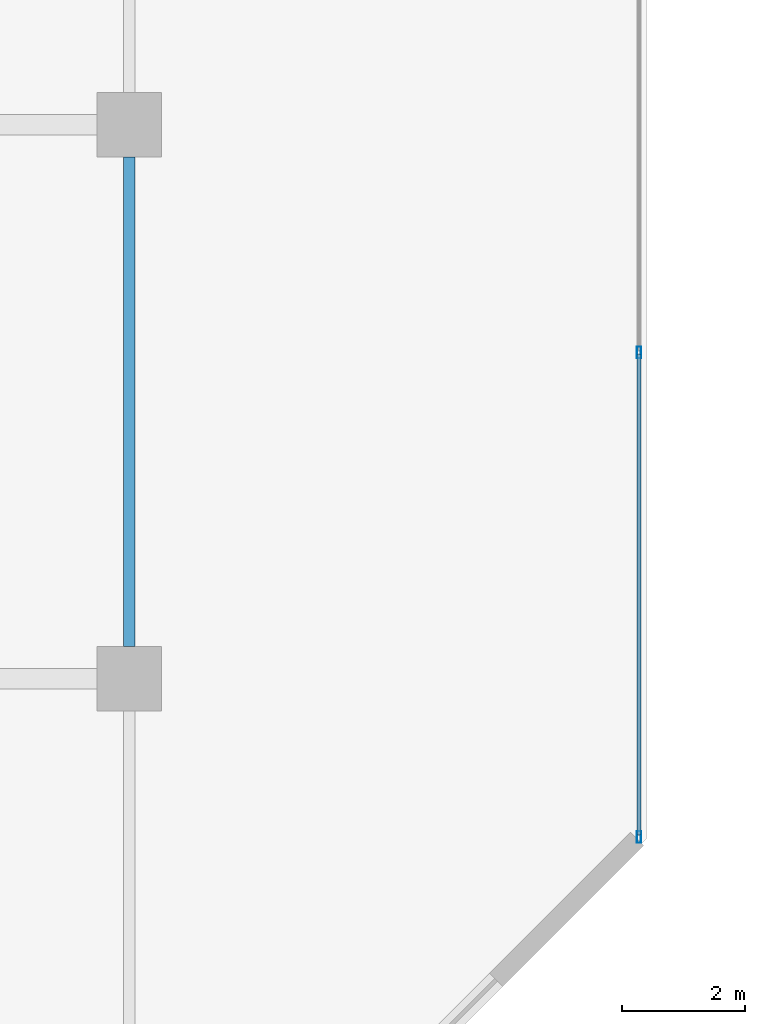
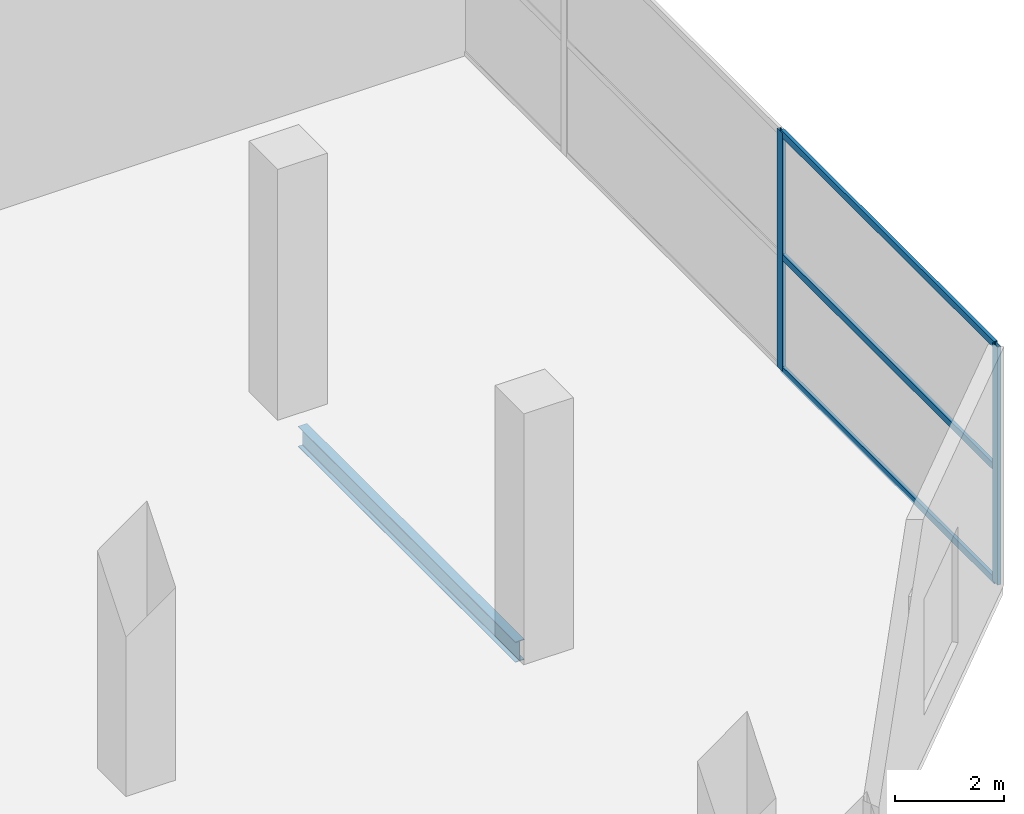
# One storey, part 23 of 35: 5 members, 1 beam, 1 element without a shape of its own.
"""IFC4 building model written with IfcOpenShell, lengths in metres."""

from ifc_helpers import new_model, si_unit, direction, frame, origin, origin_2d, place, context, subcontext, project, spatial, hollow_rectangle, i_section, extrude, material, layer, layer_set, material_profile, profile_set, type_object, element, aggregate, save


model = new_model("IFC4")

# Units and contexts
model_context = context("Model", 3, precision=1e-05, world=origin(), true_north=direction((0.0, 1.0)))
body_context = subcontext(model_context, "Body", "Model", "MODEL_VIEW")
ifc_project = project(units=[si_unit("LENGTHUNIT", "METRE"), si_unit("AREAUNIT", "SQUARE_METRE"), si_unit("VOLUMEUNIT", "CUBIC_METRE"), si_unit("PLANEANGLEUNIT", "RADIAN"), si_unit("MASSUNIT", "GRAM", prefix="KILO")], contexts=[model_context])

# Site, building, storey
site_placement = place(None, origin())
site = spatial("IfcSite", under=ifc_project, at=site_placement, CompositionType="ELEMENT")
building_placement = place(site_placement, origin())
building = spatial("IfcBuilding", under=site, at=building_placement, Name="Maruvema Waterfront Hotel and Observation Tower", CompositionType="ELEMENT")
storey_placement = place(building_placement, origin())
storey = spatial("IfcBuildingStorey", under=building, at=storey_placement, Name="L00", CompositionType="ELEMENT", Elevation=0.0)

# Curtain wall, members
ifc_material_1 = material(Name="Anodised bronze aluminium and solar-control low-E IGU", Category="aluminium")
ifc_layer = layer(ifc_material_1, 0.159912109375, Name="Podium Waterfront Storefront Curtain Wall System CW-01")
ifc_layer_set = layer_set([ifc_layer], Name="Anodised bronze aluminium and solar-control low-E IGU")
curtain_wall_type = type_object("IfcCurtainWallType", Name="Podium Waterfront Storefront Curtain Wall System CW-01", PredefinedType="USERDEFINED", material=ifc_layer_set)
curtain_wall_placement = place(storey_placement, origin())
curtain_wall = element("IfcCurtainWall", 1, at=curtain_wall_placement, inside=storey, type_object=curtain_wall_type, Name="L00 Curtain Wall CW-L00-ES", ObjectType="UNITISED CURTAIN WALL", PredefinedType="USERDEFINED")
ifc_material_2 = material(Name="Anodised architectural bronze aluminium", Category="aluminium")
ifc_material_profile_1 = material_profile(ifc_material_2, hollow_rectangle(XDim=0.070068359375, YDim=0.14990234375, WallThickness=0.00390625, at=origin_2d()), Name="ALU-T70x150")
ifc_profile_set_1 = profile_set([ifc_material_profile_1], Name="Anodised architectural bronze aluminium")
member_type_1 = type_object("IfcMemberType", Name="Curtain Wall Horizontal Transom ALU-T70x150", PredefinedType="USERDEFINED", material=ifc_profile_set_1)
member_1_placement = place(storey_placement, frame((75.47998046875, 6.4599609375, 0.030029296875), z_axis=(0.0, 1.0, 0.0), x_axis=(-1.0, 0.0, 0.0)))
member_1 = element("IfcMember", 2, at=member_1_placement, type_object=member_type_1, Name="CW-01 transom 1.1", ObjectType="TRANSOM", PredefinedType="USERDEFINED", context=body_context, shape_type="SweptSolid", body=[
    extrude(hollow_rectangle(XDim=0.070068359375, YDim=0.14990234375, WallThickness=0.00390625, at=origin_2d()), origin(), (0.0, 0.0, 1.0), 7.81005859375),
])
member_2_placement = place(storey_placement, frame((75.47998046875, 6.4599609375, 2.550048828125), z_axis=(0.0, 1.0, 0.0), x_axis=(-1.0, 0.0, 0.0)))
member_2 = element("IfcMember", 3, at=member_2_placement, type_object=member_type_1, Name="CW-01 transom 1.2", ObjectType="TRANSOM", PredefinedType="USERDEFINED", context=body_context, shape_type="SweptSolid", body=[
    extrude(hollow_rectangle(XDim=0.070068359375, YDim=0.14990234375, WallThickness=0.00390625, at=origin_2d()), origin(), (0.0, 0.0, 1.0), 7.81005859375),
])
member_3_placement = place(storey_placement, frame((75.47998046875, 6.4599609375, 5.2900390625), z_axis=(0.0, 1.0, 0.0), x_axis=(-1.0, 0.0, 0.0)))
member_3 = element("IfcMember", 4, at=member_3_placement, type_object=member_type_1, Name="CW-01 transom 1.3", ObjectType="TRANSOM", PredefinedType="USERDEFINED", context=body_context, shape_type="SweptSolid", body=[
    extrude(hollow_rectangle(XDim=0.070068359375, YDim=0.14990234375, WallThickness=0.00390625, at=origin_2d()), origin(), (0.0, 0.0, 1.0), 7.81005859375),
])

# Beam
ifc_material_3 = material(Name="Steel ASTM A572 Grade 50", Category="steel")
ifc_material_profile_2 = material_profile(ifc_material_3, i_section(OverallWidth=0.18994140625, OverallDepth=0.45703125, WebThickness=0.009033203125, FlangeThickness=0.014404296875, FilletRadius=0.014892578125, at=origin_2d()), Name="W460x74.0")
ifc_profile_set_2 = profile_set([ifc_material_profile_2], Name="Steel ASTM A572 Grade 50")
beam_type = type_object("IfcBeamType", Name="Perimeter Spandrel Beam W460x74.0", PredefinedType="SPANDREL", material=ifc_profile_set_2)
beam_placement = place(storey_placement, frame((67.199951171875, 9.52490234375, -0.508544921875), z_axis=(0.0, 1.0, 0.0), x_axis=(-1.0, 0.0, 0.0)))
element("IfcBeam", 5, at=beam_placement, inside=storey, type_object=beam_type, Name="L00 Floor Girder NS-36", PredefinedType="SPANDREL", context=body_context, shape_type="SweptSolid", body=[
    extrude(i_section(OverallWidth=0.18994140625, OverallDepth=0.45703125, WebThickness=0.009033203125, FlangeThickness=0.014404296875, FilletRadius=0.014892578125, at=origin_2d()), origin(), (0.0, 0.0, 1.0), 7.9501953125),
])

# Member
ifc_material_4 = material(Name="Anodised architectural bronze aluminium", Category="aluminium")
ifc_material_profile_3 = material_profile(ifc_material_4, hollow_rectangle(XDim=0.070068359375, YDim=0.18994140625, WallThickness=0.00390625, at=origin_2d()), Name="ALU-M70x190")
ifc_profile_set_3 = profile_set([ifc_material_profile_3], Name="Anodised architectural bronze aluminium")
member_type_2 = type_object("IfcMemberType", Name="Podium Storefront Heavy Mullion ALU-M70x190", PredefinedType="MULLION", material=ifc_profile_set_3)
member_4_placement = place(storey_placement, frame((75.47998046875, 6.429931640625, 0.0), z_axis=(0.0, 0.0, 1.0), x_axis=(-1.0, 0.0, 0.0)))
member_4 = element("IfcMember", 6, at=member_4_placement, type_object=member_type_2, Name="CW-01 mullion 1", PredefinedType="MULLION", context=body_context, shape_type="SweptSolid", body=[
    extrude(hollow_rectangle(XDim=0.070068359375, YDim=0.18994140625, WallThickness=0.00390625, at=origin_2d()), origin(), (0.0, 0.0, 1.0), 5.320068359375),
])

member_5_placement = place(storey_placement, frame((75.47998046875, 14.300048828125, 0.0), z_axis=(0.0, 0.0, 1.0), x_axis=(-1.0, 0.0, 0.0)))
member_5 = element("IfcMember", 7, at=member_5_placement, type_object=member_type_2, Name="CW-01 mullion 2", PredefinedType="MULLION", context=body_context, shape_type="SweptSolid", body=[
    extrude(hollow_rectangle(XDim=0.070068359375, YDim=0.18994140625, WallThickness=0.00390625, at=origin_2d()), origin(), (0.0, 0.0, 1.0), 5.320068359375),
])

aggregate(curtain_wall, [member_4, member_5, member_1, member_2, member_3])

save(model, "model.ifc")
